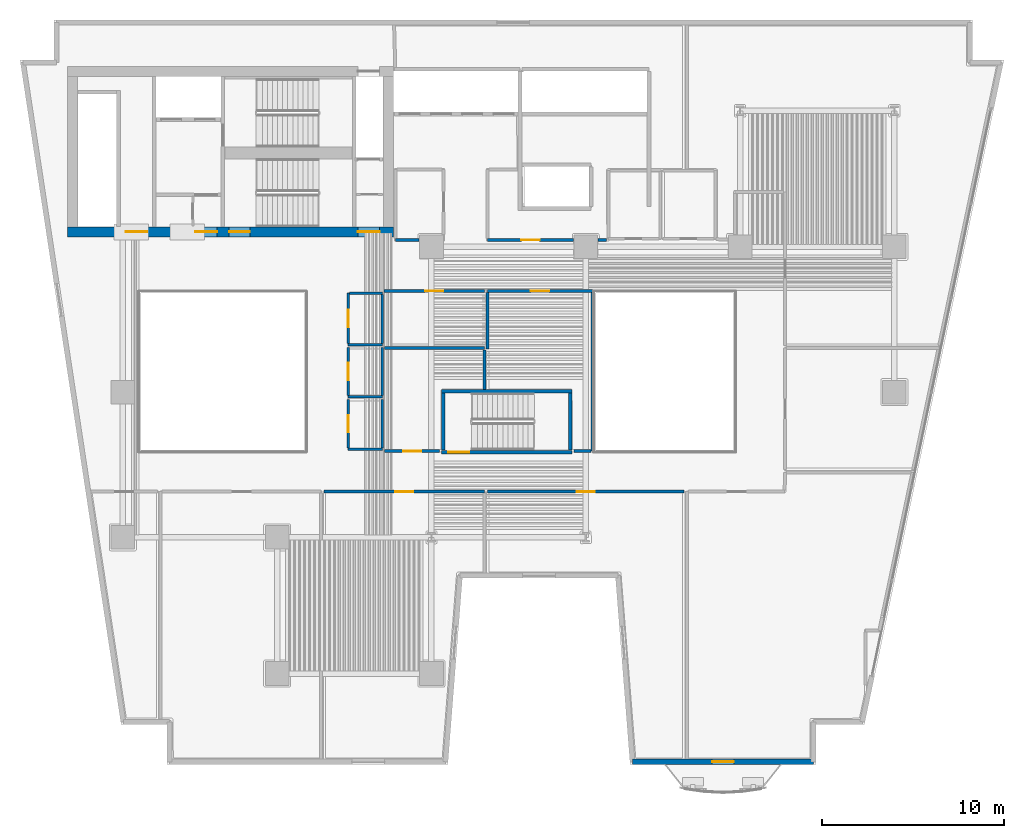
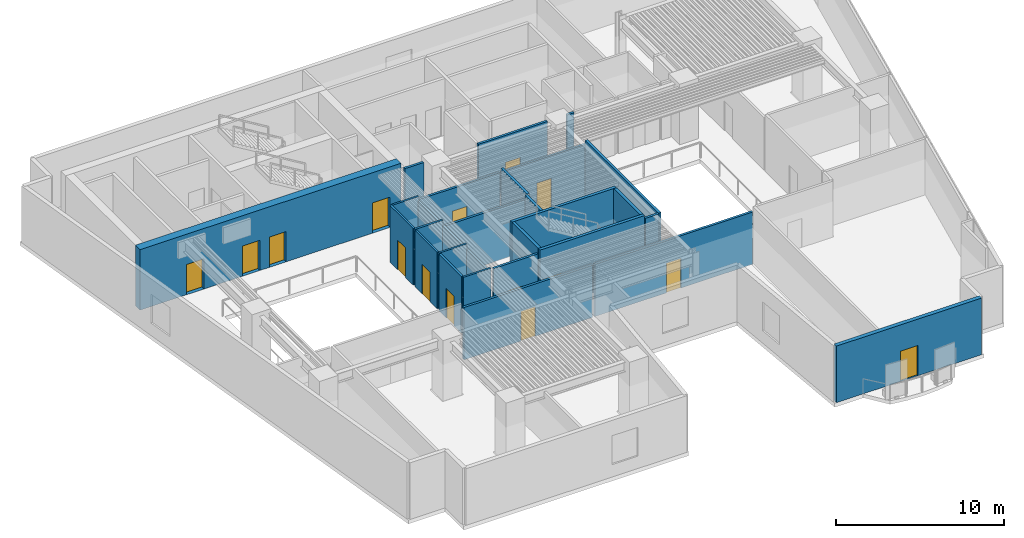
# One storey, part 4 of 12: 29 walls, 15 doors, 15 openings.
"""IFC4 building model written with IfcOpenShell, lengths in metres."""

from ifc_helpers import new_model, si_unit, direction, frame, frame_2d, origin, place, context, subcontext, project, spatial, rectangle, extrude, material, layer, layer_set, type_object, element, fill, save


model = new_model("IFC4")

# Units and contexts
model_context = context("Model", 3, precision=1e-05, world=origin(), true_north=direction((0.0, 1.0)))
body_context = subcontext(model_context, "Body", "Model", "MODEL_VIEW")
ifc_project = project(units=[si_unit("LENGTHUNIT", "METRE"), si_unit("AREAUNIT", "SQUARE_METRE"), si_unit("VOLUMEUNIT", "CUBIC_METRE"), si_unit("PLANEANGLEUNIT", "RADIAN"), si_unit("MASSUNIT", "GRAM", prefix="KILO")], contexts=[model_context])

# Site, building, storey
site_placement = place(None, origin())
site = spatial("IfcSite", under=ifc_project, at=site_placement, CompositionType="ELEMENT")
building_placement = place(site_placement, origin())
building = spatial("IfcBuilding", under=site, at=building_placement, Name="Caeloran Harvest Quay", CompositionType="ELEMENT")
storey_placement = place(building_placement, frame((0.0, 0.0, 84.199951171875)))
storey = spatial("IfcBuildingStorey", under=building, at=storey_placement, Name="L19", CompositionType="ELEMENT", Elevation=84.199951171875)

# Wall, opening, door
ifc_material_1 = material(Name="Precast concrete C50/60", Category="concrete")
ifc_layer_1 = layer(ifc_material_1, 0.280029296875, Name="Precast concrete C50/60")
ifc_layer_set_1 = layer_set([ifc_layer_1], Name="Precast concrete C50/60")
wall_type_1 = type_object("IfcWallType", Name="ENV-WALL-EW-280", PredefinedType="STANDARD", material=ifc_layer_set_1)
wall_1_placement = place(storey_placement, frame((46.547119140625, 2.639892578125, 0.0), z_axis=(0.0, 0.0, 1.0), x_axis=(-1.0, 0.0, 0.0)))
wall_1 = element("IfcWall", 1, at=wall_1_placement, inside=storey, type_object=wall_type_1, Name="L19 Exterior Precast Concrete Facade Wall 12", PredefinedType="STANDARD", context=body_context, shape_type="SweptSolid", body=[
    extrude(rectangle(XDim=9.97705078125, YDim=0.280029296875, at=frame_2d((4.988525390625, 0.0))), origin(), (0.0, 0.0, 1.0), 4.114990234375),
])
opening_1_placement = place(wall_1_placement, frame((4.387939453125, 0.0, 0.0)))
opening_1 = element("IfcOpeningElement", 2, at=opening_1_placement, cuts=wall_1, Name="Opening BD-01", PredefinedType="OPENING", context=body_context, shape_type="SweptSolid", body=[
    extrude(rectangle(XDim=1.199951171875, YDim=2.199951171875, at=frame_2d((0.60009765625, 1.10009765625))), frame((0.0, 0.14990234375, 0.0), z_axis=(0.0, -1.0, 0.0), x_axis=(1.0, 0.0, 0.0)), (0.0, 0.0, 1.0), 0.300048828125),
])
ifc_material_2 = material(Name="Thermally Broken Powder-Coated Aluminium and Safety Glass", Category="aluminium")
door_type_1 = type_object("IfcDoorType", Name="EXTDOOR-BD-01", OperationType="NOTDEFINED", PredefinedType="DOOR", material=ifc_material_2)
door_1_placement = place(opening_1_placement, origin())
door_1 = element("IfcDoor", 3, at=door_1_placement, inside=storey, type_object=door_type_1, Name="L19 Planted Balcony Glazed Access Door", OperationType="SINGLE_SWING_RIGHT", OverallHeight=2.199951171875, OverallWidth=1.199951171875, PredefinedType="DOOR", context=body_context, shape_type="SweptSolid", body=[
    extrude(rectangle(XDim=1.199951171875, YDim=2.199951171875, at=frame_2d((0.60009765625, 1.10009765625))), frame((0.0, 0.02490234375, 0.0), z_axis=(0.0, -1.0, 0.0), x_axis=(1.0, 0.0, 0.0)), (0.0, 0.0, 1.0), 0.050048828125),
])
fill(opening_1, door_1)

# Wall
ifc_material_3 = material(Name="Moisture-Resistant Cement-Board Sanitary Partition", Category="gypsum")
ifc_layer_2 = layer(ifc_material_3, 0.139892578125, Name="Moisture-Resistant Cement-Board Sanitary Partition")
ifc_layer_set_2 = layer_set([ifc_layer_2], Name="Moisture-Resistant Cement-Board Sanitary Partition")
wall_type_2 = type_object("IfcWallType", Name="INT-WALL-PW-140", PredefinedType="PARTITIONING", material=ifc_layer_set_2)
wall_2_placement = place(storey_placement, frame((22.800048828125, 25.60009765625, 0.0), z_axis=(0.0, 0.0, 1.0), x_axis=(-1.0, 0.0, 0.0)))
element("IfcWall", 4, at=wall_2_placement, inside=storey, type_object=wall_type_2, Name="L19 Male Washroom WC Partition Wall", PredefinedType="PARTITIONING", context=body_context, shape_type="SweptSolid", body=[
    extrude(rectangle(XDim=1.89013671875, YDim=0.139892578125, at=frame_2d((0.945068359375, 0.0))), origin(), (0.0, 0.0, 1.0), 4.114990234375),
])

# Wall, opening, door
wall_3_placement = place(storey_placement, frame((20.909912109375, 25.675048828125, 0.0), z_axis=(0.0, 0.0, 1.0), x_axis=(0.0, 1.0, 0.0)))
wall_3 = element("IfcWall", 5, at=wall_3_placement, inside=storey, type_object=wall_type_2, Name="L19 Male Washroom WC Partition Wall", PredefinedType="PARTITIONING", context=body_context, shape_type="SweptSolid", body=[
    extrude(rectangle(XDim=2.77490234375, YDim=0.139892578125, at=frame_2d((1.387451171875, 0.0))), origin(), (0.0, 0.0, 1.0), 4.114990234375),
])
opening_2_placement = place(wall_3_placement, frame((0.91259765625, 0.0, 0.0)))
opening_2 = element("IfcOpeningElement", 6, at=opening_2_placement, cuts=wall_3, Name="Opening WC-01", PredefinedType="OPENING", context=body_context, shape_type="SweptSolid", body=[
    extrude(rectangle(XDim=0.949951171875, YDim=2.14990234375, at=frame_2d((0.47509765625, 1.074951171875))), frame((0.0, 0.080078125, 0.0), z_axis=(0.0, -1.0, 0.0), x_axis=(1.0, 0.0, 0.0)), (0.0, 0.0, 1.0), 0.159912109375),
])
ifc_material_4 = material(Name="High-Pressure Laminate Moisture-Resistant Timber", Category="wood")
door_type_2 = type_object("IfcDoorType", Name="INTDOOR-WC-01", OperationType="NOTDEFINED", PredefinedType="DOOR", material=ifc_material_4)
door_2_placement = place(opening_2_placement, origin())
door_2 = element("IfcDoor", 7, at=door_2_placement, inside=storey, type_object=door_type_2, Name="L19 Male Washroom WC Access Door", OperationType="SINGLE_SWING_RIGHT", OverallHeight=2.14990234375, OverallWidth=0.949951171875, PredefinedType="DOOR", context=body_context, shape_type="SweptSolid", body=[
    extrude(rectangle(XDim=0.949951171875, YDim=2.14990234375, at=frame_2d((0.47509765625, 1.074951171875))), frame((0.0, 0.02490234375, 0.0), z_axis=(0.0, -1.0, 0.0), x_axis=(1.0, 0.0, 0.0)), (0.0, 0.0, 1.0), 0.050048828125),
])
fill(opening_2, door_2)

# Walls
wall_4_placement = place(storey_placement, frame((20.985107421875, 28.449951171875, 0.0), z_axis=(0.0, 0.0, 1.0), x_axis=(1.0, 0.0, 0.0)))
element("IfcWall", 8, at=wall_4_placement, inside=storey, type_object=wall_type_2, Name="L19 Male Washroom WC Partition Wall", PredefinedType="PARTITIONING", context=body_context, shape_type="SweptSolid", body=[
    extrude(rectangle(XDim=1.81494140625, YDim=0.139892578125, at=frame_2d((0.907470703125, 0.0))), origin(), (0.0, 0.0, 1.0), 4.114990234375),
])
wall_5_placement = place(storey_placement, frame((22.800048828125, 28.375, 0.0), z_axis=(0.0, 0.0, 1.0), x_axis=(0.0, -1.0, 0.0)))
element("IfcWall", 9, at=wall_5_placement, inside=storey, type_object=wall_type_2, Name="L19 Male Washroom WC Partition Wall", PredefinedType="PARTITIONING", context=body_context, shape_type="SweptSolid", body=[
    extrude(rectangle(XDim=2.699951171875, YDim=0.139892578125, at=frame_2d((1.35009765625, 0.0))), origin(), (0.0, 0.0, 1.0), 3.800048828125),
])
wall_6_placement = place(storey_placement, frame((22.800048828125, 22.75, 0.0), z_axis=(0.0, 0.0, 1.0), x_axis=(-1.0, 0.0, 0.0)))
element("IfcWall", 10, at=wall_6_placement, inside=storey, type_object=wall_type_2, Name="L19 Female Washroom WC Partition Wall", PredefinedType="PARTITIONING", context=body_context, shape_type="SweptSolid", body=[
    extrude(rectangle(XDim=1.89013671875, YDim=0.139892578125, at=frame_2d((0.945068359375, 0.0))), origin(), (0.0, 0.0, 1.0), 4.114990234375),
])

# Wall, opening, door
wall_7_placement = place(storey_placement, frame((20.909912109375, 22.824951171875, 0.0), z_axis=(0.0, 0.0, 1.0), x_axis=(0.0, 1.0, 0.0)))
wall_7 = element("IfcWall", 11, at=wall_7_placement, inside=storey, type_object=wall_type_2, Name="L19 Female Washroom WC Partition Wall", PredefinedType="PARTITIONING", context=body_context, shape_type="SweptSolid", body=[
    extrude(rectangle(XDim=2.625, YDim=0.139892578125, at=frame_2d((1.3125, 0.0))), origin(), (0.0, 0.0, 1.0), 4.114990234375),
])
opening_3_placement = place(wall_7_placement, frame((0.83740234375, 0.0, 0.0)))
opening_3 = element("IfcOpeningElement", 12, at=opening_3_placement, cuts=wall_7, Name="Opening WC-01", PredefinedType="OPENING", context=body_context, shape_type="SweptSolid", body=[
    extrude(rectangle(XDim=0.949951171875, YDim=2.14990234375, at=frame_2d((0.47509765625, 1.074951171875))), frame((0.0, 0.080078125, 0.0), z_axis=(0.0, -1.0, 0.0), x_axis=(1.0, 0.0, 0.0)), (0.0, 0.0, 1.0), 0.159912109375),
])
door_3_placement = place(opening_3_placement, origin())
door_3 = element("IfcDoor", 13, at=door_3_placement, inside=storey, type_object=door_type_2, Name="L19 Female Washroom WC Access Door", OperationType="SINGLE_SWING_LEFT", OverallHeight=2.14990234375, OverallWidth=0.949951171875, PredefinedType="DOOR", context=body_context, shape_type="SweptSolid", body=[
    extrude(rectangle(XDim=0.949951171875, YDim=2.14990234375, at=frame_2d((0.47509765625, 1.074951171875))), frame((0.0, 0.02490234375, 0.0), z_axis=(0.0, -1.0, 0.0), x_axis=(1.0, 0.0, 0.0)), (0.0, 0.0, 1.0), 0.050048828125),
])
fill(opening_3, door_3)

# Walls
wall_8_placement = place(storey_placement, frame((22.800048828125, 25.449951171875, 0.0), z_axis=(0.0, 0.0, 1.0), x_axis=(0.0, -1.0, 0.0)))
element("IfcWall", 14, at=wall_8_placement, inside=storey, type_object=wall_type_2, Name="L19 Female Washroom WC Partition Wall", PredefinedType="PARTITIONING", context=body_context, shape_type="SweptSolid", body=[
    extrude(rectangle(XDim=2.625, YDim=0.139892578125, at=frame_2d((1.3125, 0.0))), origin(), (0.0, 0.0, 1.0), 3.800048828125),
])
wall_9_placement = place(storey_placement, frame((22.800048828125, 19.85009765625, 0.0), z_axis=(0.0, 0.0, 1.0), x_axis=(-1.0, 0.0, 0.0)))
element("IfcWall", 15, at=wall_9_placement, inside=storey, type_object=wall_type_2, Name="L19 Accessible Unisex Washroom WC Partition Wall", PredefinedType="PARTITIONING", context=body_context, shape_type="SweptSolid", body=[
    extrude(rectangle(XDim=1.89013671875, YDim=0.139892578125, at=frame_2d((0.945068359375, 0.0))), origin(), (0.0, 0.0, 1.0), 4.114990234375),
])

# Wall, opening, door
wall_10_placement = place(storey_placement, frame((20.909912109375, 19.925048828125, 0.0), z_axis=(0.0, 0.0, 1.0), x_axis=(0.0, 1.0, 0.0)))
wall_10 = element("IfcWall", 16, at=wall_10_placement, inside=storey, type_object=wall_type_2, Name="L19 Accessible Unisex Washroom WC Partition Wall", PredefinedType="PARTITIONING", context=body_context, shape_type="SweptSolid", body=[
    extrude(rectangle(XDim=2.675048828125, YDim=0.139892578125, at=frame_2d((1.33740234375, 0.0))), origin(), (0.0, 0.0, 1.0), 4.114990234375),
])
opening_4_placement = place(wall_10_placement, frame((0.862548828125, 0.0, 0.0)))
opening_4 = element("IfcOpeningElement", 17, at=opening_4_placement, cuts=wall_10, Name="Opening WC-01", PredefinedType="OPENING", context=body_context, shape_type="SweptSolid", body=[
    extrude(rectangle(XDim=0.949951171875, YDim=2.14990234375, at=frame_2d((0.47509765625, 1.074951171875))), frame((0.0, 0.080078125, 0.0), z_axis=(0.0, -1.0, 0.0), x_axis=(1.0, 0.0, 0.0)), (0.0, 0.0, 1.0), 0.159912109375),
])
door_4_placement = place(opening_4_placement, origin())
door_4 = element("IfcDoor", 18, at=door_4_placement, inside=storey, type_object=door_type_2, Name="L19 Accessible Unisex Washroom WC Access Door", OperationType="SINGLE_SWING_RIGHT", OverallHeight=2.14990234375, OverallWidth=0.949951171875, PredefinedType="DOOR", context=body_context, shape_type="SweptSolid", body=[
    extrude(rectangle(XDim=0.949951171875, YDim=2.14990234375, at=frame_2d((0.47509765625, 1.074951171875))), frame((0.0, 0.02490234375, 0.0), z_axis=(0.0, -1.0, 0.0), x_axis=(1.0, 0.0, 0.0)), (0.0, 0.0, 1.0), 0.050048828125),
])
fill(opening_4, door_4)

# Wall
wall_11_placement = place(storey_placement, frame((22.800048828125, 22.60009765625, 0.0), z_axis=(0.0, 0.0, 1.0), x_axis=(0.0, -1.0, 0.0)))
element("IfcWall", 19, at=wall_11_placement, inside=storey, type_object=wall_type_2, Name="L19 Accessible Unisex Washroom WC Partition Wall", PredefinedType="PARTITIONING", context=body_context, shape_type="SweptSolid", body=[
    extrude(rectangle(XDim=2.675048828125, YDim=0.139892578125, at=frame_2d((1.33740234375, 0.0))), origin(), (0.0, 0.0, 1.0), 3.800048828125),
])

# Wall, opening, door
ifc_material_5 = material(Name="Autoclaved Aerated Concrete Blockwork", Category="masonry")
ifc_layer_3 = layer(ifc_material_5, 0.1650390625, Name="Autoclaved Aerated Concrete Blockwork")
ifc_layer_set_3 = layer_set([ifc_layer_3], Name="Autoclaved Aerated Concrete Blockwork")
wall_type_3 = type_object("IfcWallType", Name="INT-WALL-PW-165", PredefinedType="PARTITIONING", material=ifc_layer_set_3)
wall_12_placement = place(storey_placement, frame((19.580078125, 17.52001953125, 0.0), z_axis=(0.0, 0.0, 1.0), x_axis=(1.0, 0.0, 0.0)))
wall_12 = element("IfcWall", 20, at=wall_12_placement, inside=storey, type_object=wall_type_3, Name="Botanical Workshop Studio Partition Wall", PredefinedType="PARTITIONING", context=body_context, shape_type="SweptSolid", body=[
    extrude(rectangle(XDim=8.83984375, YDim=0.1650390625, at=frame_2d((4.419921875, 0.0))), origin(), (0.0, 0.0, 1.0), 3.800048828125),
])
opening_5_placement = place(wall_12_placement, frame((3.919921875, 0.0, 0.0)))
opening_5 = element("IfcOpeningElement", 21, at=opening_5_placement, cuts=wall_12, Name="Opening ID-01", PredefinedType="OPENING", context=body_context, shape_type="SweptSolid", body=[
    extrude(rectangle(XDim=1.0, YDim=2.14990234375, at=frame_2d((0.5, 1.074951171875))), frame((0.0, 0.092529296875, 0.0), z_axis=(0.0, -1.0, 0.0), x_axis=(1.0, 0.0, 0.0)), (0.0, 0.0, 1.0), 0.18505859375),
])
ifc_material_6 = material(Name="FSC Solid-Core Ash Timber and Acoustic Seal", Category="wood")
door_type_3 = type_object("IfcDoorType", Name="INTDOOR-ID-01", OperationType="NOTDEFINED", PredefinedType="DOOR", material=ifc_material_6)
door_5_placement = place(opening_5_placement, origin())
door_5 = element("IfcDoor", 22, at=door_5_placement, inside=storey, type_object=door_type_3, Name="Botanical Workshop Studio Access Door", OperationType="SINGLE_SWING_RIGHT", OverallHeight=2.14990234375, OverallWidth=1.0, PredefinedType="DOOR", context=body_context, shape_type="SweptSolid", body=[
    extrude(rectangle(XDim=1.0, YDim=2.14990234375, at=frame_2d((0.5, 1.074951171875))), frame((0.0, 0.02490234375, 0.0), z_axis=(0.0, -1.0, 0.0), x_axis=(1.0, 0.0, 0.0)), (0.0, 0.0, 1.0), 0.050048828125),
])
fill(opening_5, door_5)

wall_13_placement = place(storey_placement, frame((28.580078125, 17.52001953125, 0.0), z_axis=(0.0, 0.0, 1.0), x_axis=(1.0, 0.0, 0.0)))
wall_13 = element("IfcWall", 23, at=wall_13_placement, inside=storey, type_object=wall_type_3, Name="Seed Library Reading Lounge Partition Wall", PredefinedType="PARTITIONING", context=body_context, shape_type="SweptSolid", body=[
    extrude(rectangle(XDim=10.83984375, YDim=0.1650390625, at=frame_2d((5.419921875, 0.0))), origin(), (0.0, 0.0, 1.0), 3.800048828125),
])
opening_6_placement = place(wall_13_placement, frame((4.919921875, 0.0, 0.0)))
opening_6 = element("IfcOpeningElement", 24, at=opening_6_placement, cuts=wall_13, Name="Opening ID-01", PredefinedType="OPENING", context=body_context, shape_type="SweptSolid", body=[
    extrude(rectangle(XDim=1.0, YDim=2.14990234375, at=frame_2d((0.5, 1.074951171875))), frame((0.0, 0.092529296875, 0.0), z_axis=(0.0, -1.0, 0.0), x_axis=(1.0, 0.0, 0.0)), (0.0, 0.0, 1.0), 0.18505859375),
])
door_6_placement = place(opening_6_placement, origin())
door_6 = element("IfcDoor", 25, at=door_6_placement, inside=storey, type_object=door_type_3, Name="Seed Library Reading Lounge Access Door", OperationType="SINGLE_SWING_LEFT", OverallHeight=2.14990234375, OverallWidth=1.0, PredefinedType="DOOR", context=body_context, shape_type="SweptSolid", body=[
    extrude(rectangle(XDim=1.0, YDim=2.14990234375, at=frame_2d((0.5, 1.074951171875))), frame((0.0, 0.02490234375, 0.0), z_axis=(0.0, -1.0, 0.0), x_axis=(1.0, 0.0, 0.0)), (0.0, 0.0, 1.0), 0.050048828125),
])
fill(opening_6, door_6)

wall_14_placement = place(storey_placement, frame((25.95556640625, 19.75, 0.0), z_axis=(0.0, 0.0, 1.0), x_axis=(-1.0, 0.0, 0.0)))
wall_14 = element("IfcWall", 26, at=wall_14_placement, inside=storey, type_object=wall_type_3, Name="Tasting Salon Lounge Partition Wall", PredefinedType="PARTITIONING", context=body_context, shape_type="SweptSolid", body=[
    extrude(rectangle(XDim=3.045654296875, YDim=0.1650390625, at=frame_2d((1.52294921875, 0.0))), origin(), (0.0, 0.0, 1.0), 4.114990234375),
])
opening_7_placement = place(wall_14_placement, frame((1.022705078125, 0.0, 0.0)))
opening_7 = element("IfcOpeningElement", 27, at=opening_7_placement, cuts=wall_14, Name="Opening ID-01", PredefinedType="OPENING", context=body_context, shape_type="SweptSolid", body=[
    extrude(rectangle(XDim=1.0, YDim=2.14990234375, at=frame_2d((0.5, 1.074951171875))), frame((0.0, 0.092529296875, 0.0), z_axis=(0.0, -1.0, 0.0), x_axis=(1.0, 0.0, 0.0)), (0.0, 0.0, 1.0), 0.18505859375),
])
door_7_placement = place(opening_7_placement, origin())
door_7 = element("IfcDoor", 28, at=door_7_placement, inside=storey, type_object=door_type_3, Name="Tasting Salon Lounge Access Door", OperationType="SINGLE_SWING_LEFT", OverallHeight=2.14990234375, OverallWidth=1.0, PredefinedType="DOOR", context=body_context, shape_type="SweptSolid", body=[
    extrude(rectangle(XDim=1.0, YDim=2.14990234375, at=frame_2d((0.5, 1.074951171875))), frame((0.0, 0.02490234375, 0.0), z_axis=(0.0, -1.0, 0.0), x_axis=(1.0, 0.0, 0.0)), (0.0, 0.0, 1.0), 0.050048828125),
])
fill(opening_7, door_7)

# Walls
wall_15_placement = place(storey_placement, frame((22.909912109375, 25.419921875, 0.0), z_axis=(0.0, 0.0, 1.0), x_axis=(1.0, 0.0, 0.0)))
element("IfcWall", 29, at=wall_15_placement, inside=storey, type_object=wall_type_3, Name="Tasting Salon Lounge Partition Wall", PredefinedType="PARTITIONING", context=body_context, shape_type="SweptSolid", body=[
    extrude(rectangle(XDim=5.510009765625, YDim=0.1650390625, at=frame_2d((2.7548828125, 0.0))), origin(), (0.0, 0.0, 1.0), 3.800048828125),
])
wall_16_placement = place(storey_placement, frame((28.419921875, 25.33251953125, 0.0), z_axis=(0.0, 0.0, 1.0), x_axis=(0.0, -1.0, 0.0)))
element("IfcWall", 30, at=wall_16_placement, inside=storey, type_object=wall_type_3, Name="Tasting Salon Lounge Partition Wall", PredefinedType="PARTITIONING", context=body_context, shape_type="SweptSolid", body=[
    extrude(rectangle(XDim=2.177490234375, YDim=0.1650390625, at=frame_2d((1.0888671875, 0.0))), origin(), (0.0, 0.0, 1.0), 4.114990234375),
])

# Wall, opening, door
wall_17_placement = place(storey_placement, frame((28.580078125, 28.570068359375, 0.0), z_axis=(0.0, 0.0, 1.0), x_axis=(1.0, 0.0, 0.0)))
wall_17 = element("IfcWall", 31, at=wall_17_placement, inside=storey, type_object=wall_type_3, Name="Culinary Harvest Tasting Kitchen 8 Partition Wall", PredefinedType="PARTITIONING", context=body_context, shape_type="SweptSolid", body=[
    extrude(rectangle(XDim=5.7900390625, YDim=0.1650390625, at=frame_2d((2.89501953125, 0.0))), origin(), (0.0, 0.0, 1.0), 3.800048828125),
])
opening_8_placement = place(wall_17_placement, frame((2.39501953125, 0.0, 0.0)))
opening_8 = element("IfcOpeningElement", 32, at=opening_8_placement, cuts=wall_17, Name="Opening ID-01", PredefinedType="OPENING", context=body_context, shape_type="SweptSolid", body=[
    extrude(rectangle(XDim=1.0, YDim=2.14990234375, at=frame_2d((0.5, 1.074951171875))), frame((0.0, 0.092529296875, 0.0), z_axis=(0.0, -1.0, 0.0), x_axis=(1.0, 0.0, 0.0)), (0.0, 0.0, 1.0), 0.18505859375),
])
door_8_placement = place(opening_8_placement, origin())
door_8 = element("IfcDoor", 33, at=door_8_placement, inside=storey, type_object=door_type_3, Name="Culinary Harvest Tasting Kitchen 8 Access Door", OperationType="SINGLE_SWING_RIGHT", OverallHeight=2.14990234375, OverallWidth=1.0, PredefinedType="DOOR", context=body_context, shape_type="SweptSolid", body=[
    extrude(rectangle(XDim=1.0, YDim=2.14990234375, at=frame_2d((0.5, 1.074951171875))), frame((0.0, 0.02490234375, 0.0), z_axis=(0.0, -1.0, 0.0), x_axis=(1.0, 0.0, 0.0)), (0.0, 0.0, 1.0), 0.050048828125),
])
fill(opening_8, door_8)

# Walls
wall_18_placement = place(storey_placement, frame((34.3701171875, 28.482421875, 0.0), z_axis=(0.0, 0.0, 1.0), x_axis=(0.0, -1.0, 0.0)))
element("IfcWall", 34, at=wall_18_placement, inside=storey, type_object=wall_type_3, Name="Culinary Harvest Tasting Kitchen 8 Partition Wall", PredefinedType="PARTITIONING", context=body_context, shape_type="SweptSolid", body=[
    extrude(rectangle(XDim=8.732421875, YDim=0.1650390625, at=frame_2d((4.3662109375, 0.0))), origin(), (0.0, 0.0, 1.0), 4.114990234375),
])
wall_19_placement = place(storey_placement, frame((34.282470703125, 19.75, 0.0), z_axis=(0.0, 0.0, 1.0), x_axis=(-1.0, 0.0, 0.0)))
element("IfcWall", 35, at=wall_19_placement, inside=storey, type_object=wall_type_3, Name="Culinary Harvest Tasting Kitchen 8 Partition Wall", PredefinedType="PARTITIONING", context=body_context, shape_type="SweptSolid", body=[
    extrude(rectangle(XDim=0.93798828125, YDim=0.1650390625, at=frame_2d((0.468994140625, 0.0))), origin(), (0.0, 0.0, 1.0), 4.114990234375),
])
wall_20_placement = place(storey_placement, frame((28.580078125, 25.386474609375, 0.0), z_axis=(0.0, 0.0, 1.0), x_axis=(0.0, 1.0, 0.0)))
element("IfcWall", 36, at=wall_20_placement, inside=storey, type_object=wall_type_3, Name="Culinary Harvest Tasting Kitchen 8 Partition Wall", PredefinedType="PARTITIONING", context=body_context, shape_type="SweptSolid", body=[
    extrude(rectangle(XDim=3.095947265625, YDim=0.1650390625, at=frame_2d((1.5478515625, 0.0))), origin(), (0.0, 0.0, 1.0), 4.114990234375),
])

# Wall, opening, door
wall_21_placement = place(storey_placement, frame((22.889892578125, 28.570068359375, 0.0), z_axis=(0.0, 0.0, 1.0), x_axis=(1.0, 0.0, 0.0)))
wall_21 = element("IfcWall", 37, at=wall_21_placement, inside=storey, type_object=wall_type_3, Name="Botanical Workshop Studio 9 Partition Wall", PredefinedType="PARTITIONING", context=body_context, shape_type="SweptSolid", body=[
    extrude(rectangle(XDim=5.530029296875, YDim=0.1650390625, at=frame_2d((2.76513671875, 0.0))), origin(), (0.0, 0.0, 1.0), 3.800048828125),
])
opening_9_placement = place(wall_21_placement, frame((2.264892578125, 0.0, 0.0)))
opening_9 = element("IfcOpeningElement", 38, at=opening_9_placement, cuts=wall_21, Name="Opening ID-01", PredefinedType="OPENING", context=body_context, shape_type="SweptSolid", body=[
    extrude(rectangle(XDim=1.0, YDim=2.14990234375, at=frame_2d((0.5, 1.074951171875))), frame((0.0, 0.092529296875, 0.0), z_axis=(0.0, -1.0, 0.0), x_axis=(1.0, 0.0, 0.0)), (0.0, 0.0, 1.0), 0.18505859375),
])
door_9_placement = place(opening_9_placement, origin())
door_9 = element("IfcDoor", 39, at=door_9_placement, inside=storey, type_object=door_type_3, Name="Botanical Workshop Studio 9 Access Door", OperationType="SINGLE_SWING_LEFT", OverallHeight=2.14990234375, OverallWidth=1.0, PredefinedType="DOOR", context=body_context, shape_type="SweptSolid", body=[
    extrude(rectangle(XDim=1.0, YDim=2.14990234375, at=frame_2d((0.5, 1.074951171875))), frame((0.0, 0.02490234375, 0.0), z_axis=(0.0, -1.0, 0.0), x_axis=(1.0, 0.0, 0.0)), (0.0, 0.0, 1.0), 0.050048828125),
])
fill(opening_9, door_9)

# Walls
wall_22_placement = place(storey_placement, frame((24.824951171875, 31.3798828125, 0.0), z_axis=(0.0, 0.0, 1.0), x_axis=(-1.0, 0.0, 0.0)))
element("IfcWall", 40, at=wall_22_placement, inside=storey, type_object=wall_type_3, Name="Sensory Fermentation Kitchen 10 Partition Wall", PredefinedType="PARTITIONING", context=body_context, shape_type="SweptSolid", body=[
    extrude(rectangle(XDim=1.31494140625, YDim=0.1650390625, at=frame_2d((0.657470703125, 0.0))), origin(), (0.0, 0.0, 1.0), 4.114990234375),
])
wall_23_placement = place(storey_placement, frame((35.155517578125, 31.3798828125, 0.0), z_axis=(0.0, 0.0, 1.0), x_axis=(-1.0, 0.0, 0.0)))
element("IfcWall", 41, at=wall_23_placement, inside=storey, type_object=wall_type_3, Name="Seed Library Reading Lounge 12 Partition Wall", PredefinedType="PARTITIONING", context=body_context, shape_type="SweptSolid", body=[
    extrude(rectangle(XDim=0.48046875, YDim=0.1650390625, at=frame_2d((0.240234375, 0.0))), origin(), (0.0, 0.0, 1.0), 4.114990234375),
])

# Wall, opening, door
wall_24_placement = place(storey_placement, frame((33.324951171875, 31.3798828125, 0.0), z_axis=(0.0, 0.0, 1.0), x_axis=(-1.0, 0.0, 0.0)))
wall_24 = element("IfcWall", 42, at=wall_24_placement, inside=storey, type_object=wall_type_3, Name="Seed Library Reading Lounge 12 Partition Wall", PredefinedType="PARTITIONING", context=body_context, shape_type="SweptSolid", body=[
    extrude(rectangle(XDim=4.744873046875, YDim=0.1650390625, at=frame_2d((2.37255859375, 0.0))), origin(), (0.0, 0.0, 1.0), 4.114990234375),
])
opening_10_placement = place(wall_24_placement, frame((1.87255859375, 0.0, 0.0)))
opening_10 = element("IfcOpeningElement", 43, at=opening_10_placement, cuts=wall_24, Name="Opening ID-01", PredefinedType="OPENING", context=body_context, shape_type="SweptSolid", body=[
    extrude(rectangle(XDim=1.0, YDim=2.14990234375, at=frame_2d((0.5, 1.074951171875))), frame((0.0, 0.092529296875, 0.0), z_axis=(0.0, -1.0, 0.0), x_axis=(1.0, 0.0, 0.0)), (0.0, 0.0, 1.0), 0.18505859375),
])
door_10_placement = place(opening_10_placement, origin())
door_10 = element("IfcDoor", 44, at=door_10_placement, inside=storey, type_object=door_type_3, Name="Seed Library Reading Lounge 12 Access Door", OperationType="SINGLE_SWING_LEFT", OverallHeight=2.14990234375, OverallWidth=1.0, PredefinedType="DOOR", context=body_context, shape_type="SweptSolid", body=[
    extrude(rectangle(XDim=1.0, YDim=2.14990234375, at=frame_2d((0.5, 1.074951171875))), frame((0.0, 0.02490234375, 0.0), z_axis=(0.0, -1.0, 0.0), x_axis=(1.0, 0.0, 0.0)), (0.0, 0.0, 1.0), 0.050048828125),
])
fill(opening_10, door_10)

# Wall, openings, doors
ifc_material_7 = material(Name="Concrete C80/95", Category="concrete")
ifc_layer_4 = layer(ifc_material_7, 0.550048828125, Name="Concrete C80/95")
ifc_layer_set_4 = layer_set([ifc_layer_4], Name="Concrete C80/95")
wall_type_4 = type_object("IfcWallType", Name="STR-WALL-CW-550", PredefinedType="SHEAR", material=ifc_layer_set_4)
wall_25_placement = place(storey_placement, frame((5.449951171875, 31.824951171875, 0.0), z_axis=(0.0, 0.0, 1.0), x_axis=(1.0, 0.0, 0.0)))
wall_25 = element("IfcWall", 45, at=wall_25_placement, inside=storey, type_object=wall_type_4, Name="L19 Rear Core Shear Wall S", PredefinedType="SHEAR", context=body_context, shape_type="SweptSolid", body=[
    extrude(rectangle(XDim=17.949951171875, YDim=0.550048828125, at=frame_2d((8.97509765625, 0.0))), origin(), (0.0, 0.0, 1.0), 4.400146484375),
])
opening_11_placement = place(wall_25_placement, frame((3.199951171875, 0.0, 0.0)))
opening_11 = element("IfcOpeningElement", 46, at=opening_11_placement, cuts=wall_25, Name="Opening FD-01", PredefinedType="OPENING", context=body_context, shape_type="SweptSolid", body=[
    extrude(rectangle(XDim=1.199951171875, YDim=2.199951171875, at=frame_2d((0.60009765625, 1.10009765625))), frame((0.0, 0.28515625, 0.0), z_axis=(0.0, -1.0, 0.0), x_axis=(1.0, 0.0, 0.0)), (0.0, 0.0, 1.0), 0.570068359375),
])
opening_12_placement = place(wall_25_placement, frame((7.050048828125, 0.0, 0.0)))
opening_12 = element("IfcOpeningElement", 47, at=opening_12_placement, cuts=wall_25, Name="Opening FD-01", PredefinedType="OPENING", context=body_context, shape_type="SweptSolid", body=[
    extrude(rectangle(XDim=1.199951171875, YDim=2.199951171875, at=frame_2d((0.60009765625, 1.10009765625))), frame((0.0, 0.28515625, 0.0), z_axis=(0.0, -1.0, 0.0), x_axis=(1.0, 0.0, 0.0)), (0.0, 0.0, 1.0), 0.570068359375),
])
opening_13_placement = place(wall_25_placement, frame((8.89990234375, 0.0, 0.0)))
opening_13 = element("IfcOpeningElement", 48, at=opening_13_placement, cuts=wall_25, Name="Opening SD-01", PredefinedType="OPENING", context=body_context, shape_type="SweptSolid", body=[
    extrude(rectangle(XDim=1.14990234375, YDim=2.199951171875, at=frame_2d((0.574951171875, 1.10009765625))), frame((0.0, 0.28515625, 0.0), z_axis=(0.0, -1.0, 0.0), x_axis=(1.0, 0.0, 0.0)), (0.0, 0.0, 1.0), 0.570068359375),
])
opening_14_placement = place(wall_25_placement, frame((16.0, 0.0, 0.0)))
opening_14 = element("IfcOpeningElement", 49, at=opening_14_placement, cuts=wall_25, Name="Opening FD-01", PredefinedType="OPENING", context=body_context, shape_type="SweptSolid", body=[
    extrude(rectangle(XDim=1.199951171875, YDim=2.199951171875, at=frame_2d((0.60009765625, 1.10009765625))), frame((0.0, 0.28515625, 0.0), z_axis=(0.0, -1.0, 0.0), x_axis=(1.0, 0.0, 0.0)), (0.0, 0.0, 1.0), 0.570068359375),
])
ifc_material_8 = material(Name="Steel", Category="steel")
door_type_4 = type_object("IfcDoorType", Name="INTDOOR-FD-01", OperationType="NOTDEFINED", PredefinedType="DOOR", material=ifc_material_8)
door_11_placement = place(opening_11_placement, origin())
door_11 = element("IfcDoor", 50, at=door_11_placement, inside=storey, type_object=door_type_4, Name="L19 High-Rise Lift Lobby Fire Door", OperationType="SINGLE_SWING_RIGHT", OverallHeight=2.199951171875, OverallWidth=1.199951171875, PredefinedType="DOOR", context=body_context, shape_type="SweptSolid", body=[
    extrude(rectangle(XDim=1.199951171875, YDim=2.199951171875, at=frame_2d((0.60009765625, 1.10009765625))), frame((0.0, 0.02490234375, 0.0), z_axis=(0.0, -1.0, 0.0), x_axis=(1.0, 0.0, 0.0)), (0.0, 0.0, 1.0), 0.050048828125),
])
fill(opening_11, door_11)
door_12_placement = place(opening_12_placement, origin())
door_12 = element("IfcDoor", 51, at=door_12_placement, inside=storey, type_object=door_type_4, Name="L19 Firefighting Lobby Vestibule Fire Door", OperationType="SINGLE_SWING_LEFT", OverallHeight=2.199951171875, OverallWidth=1.199951171875, PredefinedType="DOOR", context=body_context, shape_type="SweptSolid", body=[
    extrude(rectangle(XDim=1.199951171875, YDim=2.199951171875, at=frame_2d((0.60009765625, 1.10009765625))), frame((0.0, 0.02490234375, 0.0), z_axis=(0.0, -1.0, 0.0), x_axis=(1.0, 0.0, 0.0)), (0.0, 0.0, 1.0), 0.050048828125),
])
fill(opening_12, door_12)
door_13_placement = place(opening_14_placement, origin())
door_13 = element("IfcDoor", 52, at=door_13_placement, inside=storey, type_object=door_type_4, Name="L19 Service Lift Lobby Fire Door", OperationType="SINGLE_SWING_LEFT", OverallHeight=2.199951171875, OverallWidth=1.199951171875, PredefinedType="DOOR", context=body_context, shape_type="SweptSolid", body=[
    extrude(rectangle(XDim=1.199951171875, YDim=2.199951171875, at=frame_2d((0.60009765625, 1.10009765625))), frame((0.0, 0.02490234375, 0.0), z_axis=(0.0, -1.0, 0.0), x_axis=(1.0, 0.0, 0.0)), (0.0, 0.0, 1.0), 0.050048828125),
])
fill(opening_14, door_13)
door_type_5 = type_object("IfcDoorType", Name="INTDOOR-SD-01", OperationType="NOTDEFINED", PredefinedType="DOOR", material=ifc_material_8)
door_14_placement = place(opening_13_placement, origin())
door_14 = element("IfcDoor", 53, at=door_14_placement, inside=storey, type_object=door_type_5, Name="L19 Protected Stair ST-C2 Exit Door", OperationType="SINGLE_SWING_RIGHT", OverallHeight=2.199951171875, OverallWidth=1.14990234375, PredefinedType="DOOR", context=body_context, shape_type="SweptSolid", body=[
    extrude(rectangle(XDim=1.14990234375, YDim=2.199951171875, at=frame_2d((0.574951171875, 1.10009765625))), frame((0.0, 0.02490234375, 0.0), z_axis=(0.0, -1.0, 0.0), x_axis=(1.0, 0.0, 0.0)), (0.0, 0.0, 1.0), 0.050048828125),
])
fill(opening_13, door_14)

# Wall, opening, door
ifc_material_9 = material(Name="Concrete C60/75", Category="concrete")
ifc_layer_5 = layer(ifc_material_9, 0.199951171875, Name="Concrete C60/75")
ifc_layer_set_5 = layer_set([ifc_layer_5], Name="Concrete C60/75")
wall_type_5 = type_object("IfcWallType", Name="STR-WALL-SW-200", PredefinedType="SHEAR", material=ifc_layer_set_5)
wall_26_placement = place(storey_placement, frame((26.050048828125, 19.699951171875, 0.0), z_axis=(0.0, 0.0, 1.0), x_axis=(1.0, 0.0, 0.0)))
wall_26 = element("IfcWall", 54, at=wall_26_placement, inside=storey, type_object=wall_type_5, Name="L19 Stair ST-W1 S RC Shaft Shear Wall", PredefinedType="SHEAR", context=body_context, shape_type="SweptSolid", body=[
    extrude(rectangle(XDim=7.199951171875, YDim=0.199951171875, at=frame_2d((3.60009765625, 0.0))), origin(), (0.0, 0.0, 1.0), 4.400146484375),
])
opening_15_placement = place(wall_26_placement, frame((0.3798828125, 0.0, 0.0)))
opening_15 = element("IfcOpeningElement", 55, at=opening_15_placement, cuts=wall_26, Name="Opening SD-01", PredefinedType="OPENING", context=body_context, shape_type="SweptSolid", body=[
    extrude(rectangle(XDim=1.14990234375, YDim=2.199951171875, at=frame_2d((0.574951171875, 1.10009765625))), frame((0.0, 0.10986328125, 0.0), z_axis=(0.0, -1.0, 0.0), x_axis=(1.0, 0.0, 0.0)), (0.0, 0.0, 1.0), 0.219970703125),
])
door_15_placement = place(opening_15_placement, origin())
door_15 = element("IfcDoor", 56, at=door_15_placement, inside=storey, type_object=door_type_5, Name="L19 Protected Exit Stair ST-W1 Fire Door", OperationType="SINGLE_SWING_LEFT", OverallHeight=2.199951171875, OverallWidth=1.14990234375, PredefinedType="DOOR", context=body_context, shape_type="SweptSolid", body=[
    extrude(rectangle(XDim=1.14990234375, YDim=2.199951171875, at=frame_2d((0.574951171875, 1.10009765625))), frame((0.0, 0.02490234375, 0.0), z_axis=(0.0, -1.0, 0.0), x_axis=(1.0, 0.0, 0.0)), (0.0, 0.0, 1.0), 0.050048828125),
])
fill(opening_15, door_15)

# Walls
wall_27_placement = place(storey_placement, frame((26.050048828125, 23.050048828125, 0.0), z_axis=(0.0, 0.0, 1.0), x_axis=(1.0, 0.0, 0.0)))
element("IfcWall", 57, at=wall_27_placement, inside=storey, type_object=wall_type_5, Name="L19 Stair ST-W1 N RC Shaft Shear Wall", PredefinedType="SHEAR", context=body_context, shape_type="SweptSolid", body=[
    extrude(rectangle(XDim=7.199951171875, YDim=0.199951171875, at=frame_2d((3.60009765625, 0.0))), origin(), (0.0, 0.0, 1.0), 4.400146484375),
])
for number, where, z_axis, x_axis, name in (
    (58, (26.14990234375, 19.81005859375, 0.0), (0.0, 0.0, 1.0), (0.0, 1.0, 0.0), "L19 Stair ST-W1 W RC Shaft Shear Wall"),
    (59, (33.14990234375, 19.81005859375, 0.0), (0.0, 0.0, 1.0), (0.0, 1.0, 0.0), "L19 Stair ST-W1 E RC Shaft Shear Wall"),
):
    element("IfcWall", number, at=place(storey_placement, frame(where, z_axis=z_axis, x_axis=x_axis)), inside=storey, type_object=wall_type_5, Name=name, PredefinedType="SHEAR", context=body_context, shape_type="SweptSolid", body=[
        extrude(rectangle(XDim=3.1298828125, YDim=0.199951171875, at=frame_2d((1.56494140625, 0.0))), origin(), (0.0, 0.0, 1.0), 4.400146484375),
    ])

save(model, "model.ifc")
